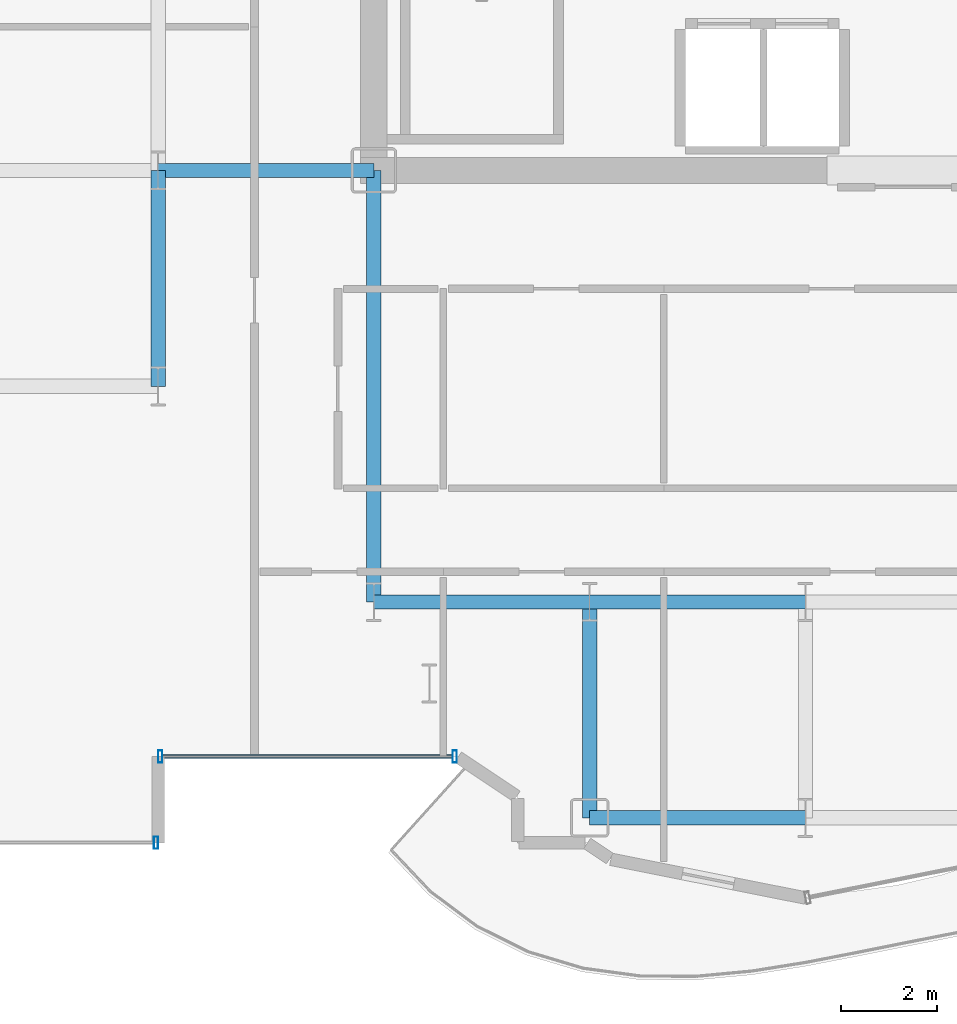
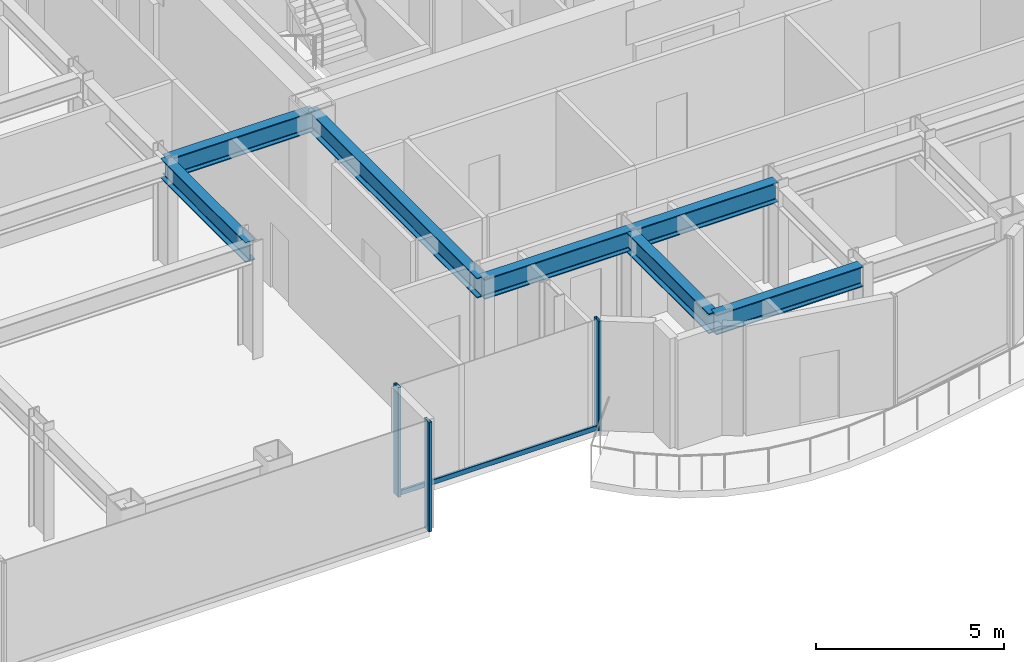
# One storey, part 5 of 22: 7 beams, 4 members, 2 elements without a shape of their own.
"""IFC4 building model written with IfcOpenShell, lengths in metres."""

import ifcopenshell
import ifcopenshell.guid

model = None  # the IFC model being written
_history = None  # IfcOwnerHistory: only IFC2X3 demands one
_inside = {}  # id of a spatial element -> (the spatial element, [elements in it])
_under = {}  # id of a project, library or spatial element -> (it, [spatial elements below it])
_declared = {}  # id of a project -> (the project, [libraries it declares])
_typed = {}  # id of a type object -> (the type object, [elements of that type])
_made_of = {}  # id of a material, layer set ... -> (it, [elements and type objects made of it])


def new_model(schema):
    """Start an empty IFC model of exactly this schema.

    Asked for "IFC4X3", IfcOpenShell would pick the latest addendum, in which some entities
    have other attributes; the version numbers below select the first issue.
    IFC2X3 requires an IfcOwnerHistory on every rooted entity: one is made here for all.
    """
    global model, _history
    if schema == "IFC4X3":
        model = ifcopenshell.file(schema_version=(4, 3, 0, 0))
    else:
        model = ifcopenshell.file(schema=schema)
    _inside.clear()
    _under.clear()
    _declared.clear()
    _typed.clear()
    _made_of.clear()
    _history = None
    if model.schema == "IFC2X3":
        org = make("IfcOrganization", Name="unknown")
        user = make(
            "IfcPersonAndOrganization",
            ThePerson=make("IfcPerson", FamilyName="unknown"),
            TheOrganization=org,
        )
        app = make(
            "IfcApplication",
            ApplicationDeveloper=org,
            Version="unknown",
            ApplicationFullName="unknown",
            ApplicationIdentifier="unknown",
        )
        _history = make(
            "IfcOwnerHistory",
            OwningUser=user,
            OwningApplication=app,
            ChangeAction="ADDED",
            CreationDate=0,
        )
    return model


def make(cls, **values):
    """One entity of the class cls with the attributes given. An attribute that is None is left unset."""
    return model.create_entity(
        cls, **{name: value for name, value in values.items() if value is not None}
    )


def rooted(cls, **values):
    """An entity with a GlobalId (a new one), such as an element, a storey or a relation."""
    return make(cls, GlobalId=ifcopenshell.guid.new(), OwnerHistory=_history, **values)


def si_unit(unit_type, name, prefix=None):
    """IfcSIUnit, for example si_unit("LENGTHUNIT", "METRE", prefix="MILLI")."""
    return make("IfcSIUnit", UnitType=unit_type, Prefix=prefix, Name=name)


def assignment(units):
    """IfcUnitAssignment: the units of a project."""
    return None if units is None else make("IfcUnitAssignment", Units=units)


def point(xyz):
    """IfcCartesianPoint."""
    return None if xyz is None else make("IfcCartesianPoint", Coordinates=xyz)


def direction(xyz):
    """IfcDirection."""
    return None if xyz is None else make("IfcDirection", DirectionRatios=xyz)


def frame(location, z_axis=None, x_axis=None):
    """IfcAxis2Placement3D, a coordinate frame: its origin and axes. An axis left out is left unset."""
    return make(
        "IfcAxis2Placement3D",
        Location=point(location),
        Axis=direction(z_axis),
        RefDirection=direction(x_axis),
    )


def frame_2d(location, x_axis=None):
    """IfcAxis2Placement2D, a coordinate frame in the plane: its origin and x axis."""
    return make(
        "IfcAxis2Placement2D", Location=point(location), RefDirection=direction(x_axis)
    )


def origin():
    """The frame at (0, 0, 0) with its axes left unset."""
    return frame((0.0, 0.0, 0.0))


def origin_2d():
    """The frame at (0, 0) in the plane with its x axis left unset."""
    return frame_2d((0.0, 0.0))


def place(relative_to, where):
    """IfcLocalPlacement: puts the frame where relative to a parent placement (None: the world)."""
    return make(
        "IfcLocalPlacement", PlacementRelTo=relative_to, RelativePlacement=where
    )


def context(
    kind, dimensions, precision=None, world=None, true_north=None, identifier=None
):
    """IfcGeometricRepresentationContext, for example the 3D "Model" context."""
    return make(
        "IfcGeometricRepresentationContext",
        ContextIdentifier=identifier,
        ContextType=kind,
        CoordinateSpaceDimension=dimensions,
        Precision=precision,
        WorldCoordinateSystem=world,
        TrueNorth=true_north,
    )


def subcontext(parent, identifier, kind, view, scale=None):
    """IfcGeometricRepresentationSubContext, for example "Body" below "Model"."""
    return make(
        "IfcGeometricRepresentationSubContext",
        ContextIdentifier=identifier,
        ContextType=kind,
        ParentContext=parent,
        TargetScale=scale,
        TargetView=view,
    )


def project(units=None, contexts=None):
    """IfcProject with its units and contexts."""
    return rooted(
        "IfcProject",
        Name="project",
        RepresentationContexts=contexts,
        UnitsInContext=assignment(units),
    )


def spatial(cls, under=None, at=None, **own):
    """A site, building, storey or space (cls), placed at a placement, below another one or the project."""
    s = rooted(cls, ObjectPlacement=at, **own)
    if under is not None:
        _under.setdefault(under.id(), (under, []))[1].append(s)
    return s


def profile(cls, at=None, kind="AREA", **sizes):
    """A parametric profile (cls). Its sizes go by their IFC names, for example OverallWidth=200.0."""
    return make(cls, ProfileType=kind, Position=at, **sizes)


def hollow_rectangle(**sizes):
    """IfcRectangleHollowProfileDef."""
    return profile("IfcRectangleHollowProfileDef", **sizes)


def i_section(**sizes):
    """IfcIShapeProfileDef."""
    return profile("IfcIShapeProfileDef", **sizes)


def extrude(swept, where, along, depth):
    """IfcExtrudedAreaSolid: the profile swept, set in the frame where, extruded along a direction by depth."""
    return make(
        "IfcExtrudedAreaSolid",
        SweptArea=swept,
        Position=where,
        ExtrudedDirection=direction(along),
        Depth=depth,
    )


def shape(context_of_items, identifier, shape_type, items):
    """IfcShapeRepresentation: the items that make up one representation, for example the "Body"."""
    return make(
        "IfcShapeRepresentation",
        ContextOfItems=context_of_items,
        RepresentationIdentifier=identifier,
        RepresentationType=shape_type,
        Items=items,
    )


def source(mapping_origin, context_of_items, identifier, shape_type, items):
    """IfcRepresentationMap: a shape defined once, which mapped items show again and again."""
    return make(
        "IfcRepresentationMap",
        MappingOrigin=mapping_origin,
        MappedRepresentation=shape(context_of_items, identifier, shape_type, items),
    )


def transform(
    local_origin,
    x_axis=None,
    y_axis=None,
    z_axis=None,
    scale=None,
    scale2=None,
    scale3=None,
    uniform=True,
):
    """IfcCartesianTransformationOperator3D, or its non-uniform kind. x_axis, y_axis, z_axis: its Axis1, 2, 3."""
    if uniform:
        return make(
            "IfcCartesianTransformationOperator3D",
            Axis1=direction(x_axis),
            Axis2=direction(y_axis),
            LocalOrigin=point(local_origin),
            Scale=scale,
            Axis3=direction(z_axis),
        )
    return make(
        "IfcCartesianTransformationOperator3DnonUniform",
        Axis1=direction(x_axis),
        Axis2=direction(y_axis),
        LocalOrigin=point(local_origin),
        Scale=scale,
        Axis3=direction(z_axis),
        Scale2=scale2,
        Scale3=scale3,
    )


def mapped(mapping_source, mapping_target):
    """IfcMappedItem: shows the shape of a source again, moved by a transform."""
    return make(
        "IfcMappedItem", MappingSource=mapping_source, MappingTarget=mapping_target
    )


def material(Name=None, Category=None):
    """IfcMaterial."""
    return make("IfcMaterial", Name=Name, Category=Category)


def layer(
    of_material, thickness, ventilated=None, Name=None, Category=None, Priority=None
):
    """IfcMaterialLayer: one layer of a wall or slab, of a material (None: an air gap)."""
    return make(
        "IfcMaterialLayer",
        Material=of_material,
        LayerThickness=thickness,
        IsVentilated=ventilated,
        Name=Name,
        Category=Category,
        Priority=Priority,
    )


def layer_set(layers, Name=None):
    """IfcMaterialLayerSet."""
    return make("IfcMaterialLayerSet", MaterialLayers=layers, LayerSetName=Name)


def material_profile(
    of_material, cross_section, Name=None, Category=None, Priority=None
):
    """IfcMaterialProfile: a cross section and its material."""
    return make(
        "IfcMaterialProfile",
        Name=Name,
        Material=of_material,
        Profile=cross_section,
        Priority=Priority,
        Category=Category,
    )


def profile_set(profiles, Name=None, composite=None):
    """IfcMaterialProfileSet."""
    return make(
        "IfcMaterialProfileSet",
        Name=Name,
        MaterialProfiles=profiles,
        CompositeProfile=composite,
    )


def made_of(thing, what):
    """Note that an element or type object is made of a material, layer set ...; save() writes the relation."""
    if what is not None:
        _made_of.setdefault(what.id(), (what, []))[1].append(thing)
    return thing


def type_object(cls, material=None, **own):
    """A type object (cls), such as IfcWallType, which elements share."""
    return made_of(rooted(cls, **own), material)


def element(
    cls,
    number,
    at=None,
    inside=None,
    cuts=None,
    type_object=None,
    material=None,
    context=None,
    identifier="Body",
    shape_type=None,
    held_by="IfcProductDefinitionShape",
    body=None,
    shapes=None,
    **own,
):
    """One element of the class cls, such as IfcWall. Its Tag is "e" and its number.

    at: its placement. inside: the storey or other place that contains it. cuts: it is an
    opening in that element (IfcRelVoidsElement). A single representation is given by context,
    identifier, shape_type and body (its items); several are given by shapes. held_by: the class
    of the entity that holds the representations. save() writes the other relations.
    """
    e = rooted(cls, Tag="e%d" % number, ObjectPlacement=at, **own)
    if body is not None:
        shapes = [shape(context, identifier, shape_type, body)]
    if shapes is not None:
        e.Representation = make(held_by, Representations=shapes)
    if inside is not None:
        _inside.setdefault(inside.id(), (inside, []))[1].append(e)
    if cuts is not None:
        rooted(
            "IfcRelVoidsElement", RelatingBuildingElement=cuts, RelatedOpeningElement=e
        )
    if type_object is not None:
        _typed.setdefault(type_object.id(), (type_object, []))[1].append(e)
    return made_of(e, material)


def aggregate(whole, parts):
    """IfcRelAggregates: a whole, such as a stair, and the parts it consists of."""
    return rooted("IfcRelAggregates", RelatingObject=whole, RelatedObjects=parts)


def save(model, path):
    """Write the relations noted so far, then the file.

    IfcRelAggregates (storeys below a building ...), IfcRelContainedInSpatialStructure (elements
    in a storey), IfcRelDefinesByType, IfcRelAssociatesMaterial and IfcRelDeclares: one each for
    every whole, place, type object, material and project.
    """
    for whole, parts in _under.values():
        aggregate(whole, parts)
    for where, things in _inside.values():
        rooted(
            "IfcRelContainedInSpatialStructure",
            RelatedElements=things,
            RelatingStructure=where,
        )
    for kind, things in _typed.values():
        rooted("IfcRelDefinesByType", RelatedObjects=things, RelatingType=kind)
    for what, things in _made_of.values():
        rooted("IfcRelAssociatesMaterial", RelatedObjects=things, RelatingMaterial=what)
    for by, libraries in _declared.values():
        rooted("IfcRelDeclares", RelatingContext=by, RelatedDefinitions=libraries)
    model.write(path)


model = new_model("IFC4")

# Units and contexts
model_context = context("Model", 3, precision=1e-05, world=origin(), true_north=direction((0.0, 1.0)))
body_context = subcontext(model_context, "Body", "Model", "MODEL_VIEW")
ifc_project = project(units=[si_unit("LENGTHUNIT", "METRE"), si_unit("AREAUNIT", "SQUARE_METRE"), si_unit("VOLUMEUNIT", "CUBIC_METRE"), si_unit("PLANEANGLEUNIT", "RADIAN"), si_unit("MASSUNIT", "GRAM", prefix="KILO")], contexts=[model_context])

# Site, building, storey
site_placement = place(None, origin())
site = spatial("IfcSite", under=ifc_project, at=site_placement, CompositionType="ELEMENT")
building_placement = place(site_placement, origin())
building = spatial("IfcBuilding", under=site, at=building_placement, Name="Nefas-Gora Pilgrimage Tower", CompositionType="ELEMENT")
storey_placement = place(building_placement, frame((0.0, 0.0, 179.199951171875)))
storey = spatial("IfcBuildingStorey", under=building, at=storey_placement, Name="L44", CompositionType="ELEMENT", Elevation=179.199951171875)

# Beams
ifc_material_1 = material(Name="Steel S355", Category="steel")
ifc_material_profile_1 = material_profile(ifc_material_1, i_section(OverallWidth=0.300048828125, OverallDepth=0.64990234375, WebThickness=0.01611328125, FlangeThickness=0.031005859375, FilletRadius=0.027099609375, at=origin_2d()), Name="HEB 650")
ifc_profile_set_1 = profile_set([ifc_material_profile_1], Name="Steel S355")
beam_type = type_object("IfcBeamType", Name="BM-GIR-HEB650", PredefinedType="BEAM", material=ifc_profile_set_1)
shared_shape_1 = source(origin(), body_context, "Body", "SweptSolid", [
    extrude(i_section(OverallWidth=0.300048828125, OverallDepth=0.64990234375, WebThickness=0.01611328125, FlangeThickness=0.031005859375, FilletRadius=0.027099609375, at=origin_2d()), origin(), (0.0, 0.0, 1.0), 9.0),
])
beam_placement = place(storey_placement, frame((-11.25, -18.0, 3.22509765625), z_axis=(0.0, 1.0, 0.0), x_axis=(-1.0, 0.0, 0.0)))
element("IfcBeam", 1, at=beam_placement, inside=storey, type_object=beam_type, Name="L44 G-03 beam", PredefinedType="BEAM", context=body_context, shape_type="MappedRepresentation", body=[
    mapped(shared_shape_1, transform((0.0, 0.0, 0.0), x_axis=(1.0, 0.0, 0.0), y_axis=(0.0, 1.0, 0.0), z_axis=(0.0, 0.0, 1.0), scale=1.0)),
])
shared_shape_2 = source(origin(), body_context, "Body", "SweptSolid", [
    extrude(i_section(OverallWidth=0.300048828125, OverallDepth=0.64990234375, WebThickness=0.01611328125, FlangeThickness=0.031005859375, FilletRadius=0.027099609375, at=origin_2d()), origin(), (0.0, 0.0, 1.0), 4.5),
])
for number, where, z_axis, x_axis, name in (
    (2, (-15.75, -13.5, 3.22509765625), (0.0, 1.0, 0.0), (-1.0, 0.0, 0.0), "L44 G-03 beam"),
    (3, (-15.75, -9.0, 3.22509765625), (1.0, 0.0, 0.0), (0.0, 1.0, 0.0), "L44 G-03 beam"),
    (4, (-11.25, -18.0, 3.22509765625), (1.0, 0.0, 0.0), (0.0, 1.0, 0.0), "L44 G-03 beam"),
    (5, (-6.75, -22.5, 3.22509765625), (0.0, 1.0, 0.0), (-1.0, 0.0, 0.0), "L44 G-03 beam"),
    (6, (-6.75, -22.5, 3.22509765625), (1.0, 0.0, 0.0), (0.0, 1.0, 0.0), "L44 G-03 beam"),
    (7, (-6.75, -18.0, 3.22509765625), (1.0, 0.0, 0.0), (0.0, 1.0, 0.0), "L44 G-03 beam"),
):
    element("IfcBeam", number, at=place(storey_placement, frame(where, z_axis=z_axis, x_axis=x_axis)), inside=storey, type_object=beam_type, Name=name, PredefinedType="BEAM", context=body_context, shape_type="MappedRepresentation", body=[
        mapped(shared_shape_2, transform((0.0, 0.0, 0.0), x_axis=(1.0, 0.0, 0.0), y_axis=(0.0, 1.0, 0.0), z_axis=(0.0, 0.0, 1.0), scale=1.0)),
    ])

# Curtain wall, members
ifc_material_2 = material(Name="Dark ceramic-fritted solar-control aluminium-glass curtain wall", Category="aluminium")
ifc_layer_1 = layer(ifc_material_2, 0.219970703125)
ifc_layer_set_1 = layer_set([ifc_layer_1], Name="Dark ceramic-fritted solar-control aluminium-glass curtain wall")
curtain_wall_type_1 = type_object("IfcCurtainWallType", Name="CW-SYS-5", PredefinedType="NOTDEFINED", material=ifc_layer_set_1)
curtain_wall_1_placement = place(storey_placement, origin())
curtain_wall_1 = element("IfcCurtainWall", 8, at=curtain_wall_1_placement, inside=storey, type_object=curtain_wall_type_1, Name="L44 Unitised Curtain Wall CW5", PredefinedType="NOTDEFINED")
ifc_material_3 = material(Name="Anodised architectural aluminium", Category="aluminium")
ifc_material_profile_2 = material_profile(ifc_material_3, hollow_rectangle(XDim=0.090087890625, YDim=0.260009765625, WallThickness=0.006103515625, InnerFilletRadius=0.006103515625, OuterFilletRadius=0.011962890625, at=origin_2d()), Name="ALU MULLION 90x260")
ifc_profile_set_2 = profile_set([ifc_material_profile_2], Name="Anodised architectural aluminium")
member_type_1 = type_object("IfcMemberType", Name="CWM-MUL-5", PredefinedType="MULLION", material=ifc_profile_set_2)
shared_shape_3 = source(origin(), body_context, "Body", "SweptSolid", [
    extrude(hollow_rectangle(XDim=0.090087890625, YDim=0.260009765625, WallThickness=0.006103515625, InnerFilletRadius=0.006103515625, OuterFilletRadius=0.011962890625, at=origin_2d()), origin(), (0.0, 0.0, 1.0), 3.550048828125),
])
member_1_placement = place(storey_placement, frame((-15.705078125, -21.219970703125, 0.0), z_axis=(0.0, 0.0, 1.0), x_axis=(1.0, 0.0, 0.0)))
member_1 = element("IfcMember", 9, at=member_1_placement, type_object=member_type_1, Name="CW5 Mullion 1", PredefinedType="MULLION", context=body_context, shape_type="MappedRepresentation", body=[
    mapped(shared_shape_3, transform((0.0, 0.0, 0.0), x_axis=(1.0, 0.0, 0.0), y_axis=(0.0, 1.0, 0.0), z_axis=(0.0, 0.0, 1.0), scale=1.0)),
])
member_2_placement = place(storey_placement, frame((-9.56298828125, -21.219970703125, 0.0), z_axis=(0.0, 0.0, 1.0), x_axis=(1.0, 0.0, 0.0)))
member_2 = element("IfcMember", 10, at=member_2_placement, type_object=member_type_1, Name="CW5 Mullion 2", PredefinedType="MULLION", context=body_context, shape_type="MappedRepresentation", body=[
    mapped(shared_shape_3, transform((0.0, 0.0, 0.0), x_axis=(1.0, 0.0, 0.0), y_axis=(0.0, 1.0, 0.0), z_axis=(0.0, 0.0, 1.0), scale=1.0)),
])
ifc_material_profile_3 = material_profile(ifc_material_3, hollow_rectangle(XDim=0.080078125, YDim=0.159912109375, WallThickness=0.00439453125, InnerFilletRadius=0.00439453125, OuterFilletRadius=0.009033203125, at=origin_2d()), Name="ALU TRANSOM 80x160")
ifc_profile_set_3 = profile_set([ifc_material_profile_3], Name="Anodised architectural aluminium")
member_type_2 = type_object("IfcMemberType", Name="CWM-TRN-5", PredefinedType="USERDEFINED", material=ifc_profile_set_3)
shared_shape_4 = source(origin(), body_context, "Body", "SweptSolid", [
    extrude(hollow_rectangle(XDim=0.080078125, YDim=0.159912109375, WallThickness=0.00439453125, InnerFilletRadius=0.00439453125, OuterFilletRadius=0.009033203125, at=origin_2d()), origin(), (0.0, 0.0, 1.0), 6.052001953125),
])
member_3_placement = place(storey_placement, frame((-15.659912109375, -21.219970703125, 0.050048828125), z_axis=(1.0, 0.0, 0.0), x_axis=(0.0, 1.0, 0.0)))
member_3 = element("IfcMember", 11, at=member_3_placement, type_object=member_type_2, Name="CW5 Spandrel Transom", ObjectType="TRANSOM", PredefinedType="USERDEFINED", context=body_context, shape_type="MappedRepresentation", body=[
    mapped(shared_shape_4, transform((0.0, 0.0, 0.0), x_axis=(1.0, 0.0, 0.0), y_axis=(0.0, 1.0, 0.0), z_axis=(0.0, 0.0, 1.0), scale=1.0)),
])
aggregate(curtain_wall_1, [member_1, member_2, member_3])

# Curtain wall, member
ifc_layer_2 = layer(ifc_material_2, 0.219970703125)
ifc_layer_set_2 = layer_set([ifc_layer_2], Name="Dark ceramic-fritted solar-control aluminium-glass curtain wall")
curtain_wall_type_2 = type_object("IfcCurtainWallType", Name="CW-SYS-3", PredefinedType="NOTDEFINED", material=ifc_layer_set_2)
curtain_wall_2_placement = place(storey_placement, origin())
curtain_wall_2 = element("IfcCurtainWall", 12, at=curtain_wall_2_placement, inside=storey, type_object=curtain_wall_type_2, Name="L44 Unitised Curtain Wall CW3", PredefinedType="NOTDEFINED")
ifc_material_profile_4 = material_profile(ifc_material_3, hollow_rectangle(XDim=0.090087890625, YDim=0.260009765625, WallThickness=0.006103515625, InnerFilletRadius=0.006103515625, OuterFilletRadius=0.011962890625, at=origin_2d()), Name="ALU MULLION 90x260")
ifc_profile_set_4 = profile_set([ifc_material_profile_4], Name="Anodised architectural aluminium")
member_type_3 = type_object("IfcMemberType", Name="CWM-MUL-3", PredefinedType="MULLION", material=ifc_profile_set_4)
shared_shape_5 = source(origin(), body_context, "Body", "SweptSolid", [
    extrude(hollow_rectangle(XDim=0.090087890625, YDim=0.260009765625, WallThickness=0.006103515625, InnerFilletRadius=0.006103515625, OuterFilletRadius=0.011962890625, at=origin_2d()), origin(), (0.0, 0.0, 1.0), 3.550048828125),
])
member_4_placement = place(storey_placement, frame((-15.794921875, -23.02001953125, 0.0), z_axis=(0.0, 0.0, 1.0), x_axis=(1.0, 0.0, 0.0)))
member_4 = element("IfcMember", 13, at=member_4_placement, type_object=member_type_3, Name="CW3 Mullion 2", PredefinedType="MULLION", context=body_context, shape_type="MappedRepresentation", body=[
    mapped(shared_shape_5, transform((0.0, 0.0, 0.0), x_axis=(1.0, 0.0, 0.0), y_axis=(0.0, 1.0, 0.0), z_axis=(0.0, 0.0, 1.0), scale=1.0)),
])
aggregate(curtain_wall_2, [member_4])

save(model, "model.ifc")
